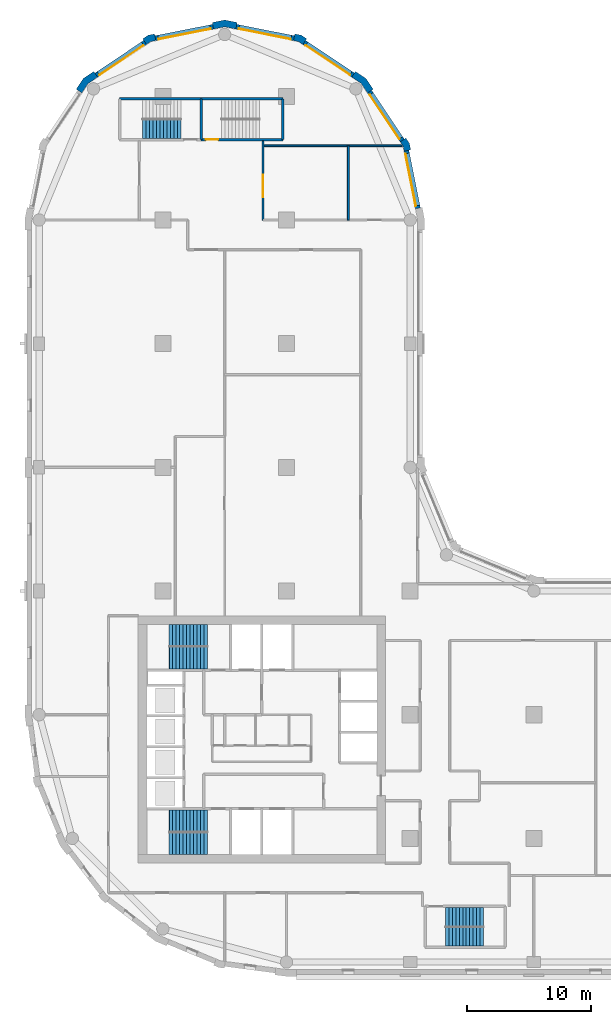
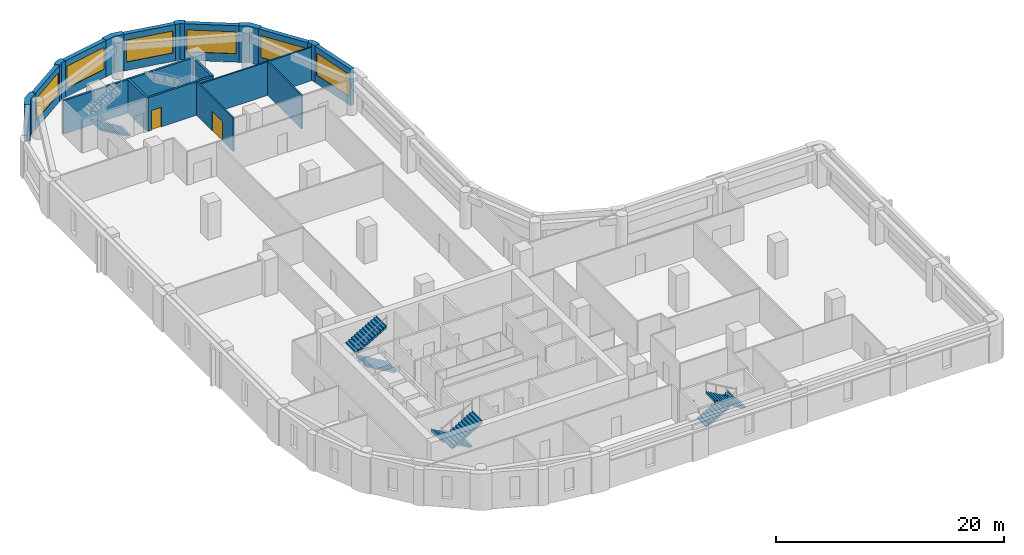
# One storey, part 6 of 9: 20 walls, 7 stair flights, 6 windows, 2 doors, 8 openings, 4 elements without a shape of their own.
"""IFC4 building model written with IfcOpenShell, lengths in metres."""

from ifc_helpers import new_model, si_unit, direction, frame, frame_2d, origin, place, context, subcontext, project, spatial, polyline, rectangle, outline, extrude, material, layer, layer_set, type_object, element, fill, aggregate, save


model = new_model("IFC4")

# Units and contexts
model_context = context("Model", 3, precision=1e-05, world=origin(), true_north=direction((0.0, 1.0)))
body_context = subcontext(model_context, "Body", "Model", "MODEL_VIEW")
ifc_project = project(units=[si_unit("LENGTHUNIT", "METRE"), si_unit("AREAUNIT", "SQUARE_METRE"), si_unit("VOLUMEUNIT", "CUBIC_METRE"), si_unit("PLANEANGLEUNIT", "RADIAN"), si_unit("MASSUNIT", "GRAM", prefix="KILO")], contexts=[model_context])

# Site, building, storey
site_placement = place(None, origin())
site = spatial("IfcSite", under=ifc_project, at=site_placement, CompositionType="ELEMENT")
building_placement = place(site_placement, origin())
building = spatial("IfcBuilding", under=site, at=building_placement, Name="Qaws Garden Tower", CompositionType="ELEMENT")
storey_placement = place(building_placement, frame((0.0, 0.0, 131.699951171875)))
storey = spatial("IfcBuildingStorey", under=building, at=storey_placement, Name="L31", CompositionType="ELEMENT", Elevation=131.699951171875)

# Wall, opening, window
ifc_material_1 = material(Name="Clay facing brick masonry", Category="masonry")
ifc_layer_1 = layer(ifc_material_1, 0.39990234375)
ifc_layer_set_1 = layer_set([ifc_layer_1], Name="Clay facing brick masonry")
wall_type_1 = type_object("IfcWallType", Name="Brick infill wall 400", PredefinedType="SOLIDWALL", material=ifc_layer_set_1)
wall_1_placement = place(storey_placement, frame((30.628662109375, 60.940673828125, 0.0), z_axis=(0.0, 0.0, 1.0), x_axis=(-0.195098533057, 0.98078364709, 0.0)))
wall_1 = element("IfcWall", 1, at=wall_1_placement, inside=storey, type_object=wall_type_1, Name="E-L31-infill-13", PredefinedType="SOLIDWALL", context=body_context, shape_type="SweptSolid", body=[
    extrude(rectangle(XDim=4.752685546875, YDim=0.39990234375, at=frame_2d((2.37646484375, 0.0))), origin(), (0.0, 0.0, 1.0), 3.900146484375),
])
opening_1_placement = place(wall_1_placement, frame((0.226318359375, 0.0, 0.89990234375)))
opening_1 = element("IfcOpeningElement", 2, at=opening_1_placement, cuts=wall_1, Name="Opening W06", PredefinedType="OPENING", context=body_context, shape_type="SweptSolid", body=[
    extrude(rectangle(XDim=4.300048828125, YDim=2.35009765625, at=frame_2d((2.14990234375, 1.175048828125))), frame((0.0, 0.2099609375, 0.0), z_axis=(0.0, -1.0, 0.0), x_axis=(1.0, 0.0, 0.0)), (0.0, 0.0, 1.0), 0.419921875),
])
ifc_material_2 = material(Name="Aluminium framed window, clear glazing", Category="aluminium")
window_type = type_object("IfcWindowType", Name="Ribbon window 4300 x 2350", PartitioningType="DOUBLE_PANEL_VERTICAL", PredefinedType="WINDOW", material=ifc_material_2)
window_1_placement = place(opening_1_placement, origin())
window_1 = element("IfcWindow", 3, at=window_1_placement, inside=storey, type_object=window_type, Name="E-L31-window-13-0", OverallHeight=2.35009765625, OverallWidth=4.300048828125, PartitioningType="SINGLE_PANEL", PredefinedType="WINDOW", context=body_context, shape_type="SweptSolid", body=[
    extrude(rectangle(XDim=4.300048828125, YDim=2.35009765625, at=frame_2d((2.14990234375, 1.175048828125))), frame((0.0, 0.159912109375, 0.0), z_axis=(0.0, -1.0, 0.0), x_axis=(1.0, 0.0, 0.0)), (0.0, 0.0, 1.0), 0.06005859375),
])
fill(opening_1, window_1)

wall_2_placement = place(storey_placement, frame((29.356689453125, 66.43408203125, 0.0), z_axis=(0.0, 0.0, 1.0), x_axis=(-0.555541552266, 0.831488775454, 0.0)))
wall_2 = element("IfcWall", 4, at=wall_2_placement, inside=storey, type_object=wall_type_1, Name="E-L31-infill-14", PredefinedType="SOLIDWALL", context=body_context, shape_type="SweptSolid", body=[
    extrude(rectangle(XDim=4.752685546875, YDim=0.39990234375, at=frame_2d((2.37646484375, 0.0))), origin(), (0.0, 0.0, 1.0), 3.900146484375),
])
opening_2_placement = place(wall_2_placement, frame((0.226318359375, 0.0, 0.89990234375)))
opening_2 = element("IfcOpeningElement", 5, at=opening_2_placement, cuts=wall_2, Name="Opening W06", PredefinedType="OPENING", context=body_context, shape_type="SweptSolid", body=[
    extrude(rectangle(XDim=4.300048828125, YDim=2.35009765625, at=frame_2d((2.14990234375, 1.175048828125))), frame((0.0, 0.2099609375, 0.0), z_axis=(0.0, -1.0, 0.0), x_axis=(1.0, 0.0, 0.0)), (0.0, 0.0, 1.0), 0.419921875),
])
window_2_placement = place(opening_2_placement, origin())
window_2 = element("IfcWindow", 6, at=window_2_placement, inside=storey, type_object=window_type, Name="E-L31-window-14-0", OverallHeight=2.35009765625, OverallWidth=4.300048828125, PartitioningType="SINGLE_PANEL", PredefinedType="WINDOW", context=body_context, shape_type="SweptSolid", body=[
    extrude(rectangle(XDim=4.300048828125, YDim=2.35009765625, at=frame_2d((2.14990234375, 1.175048828125))), frame((0.0, 0.159912109375, 0.0), z_axis=(0.0, -1.0, 0.0), x_axis=(1.0, 0.0, 0.0)), (0.0, 0.0, 1.0), 0.06005859375),
])
fill(opening_2, window_2)

wall_3_placement = place(storey_placement, frame((25.385986328125, 71.71630859375, 0.0), z_axis=(0.0, 0.0, 1.0), x_axis=(-0.831488775454, 0.555541552266, 0.0)))
wall_3 = element("IfcWall", 7, at=wall_3_placement, inside=storey, type_object=wall_type_1, Name="E-L31-infill-15", PredefinedType="SOLIDWALL", context=body_context, shape_type="SweptSolid", body=[
    extrude(rectangle(XDim=4.752685546875, YDim=0.39990234375, at=frame_2d((2.37646484375, 0.0))), origin(), (0.0, 0.0, 1.0), 3.900146484375),
])
opening_3_placement = place(wall_3_placement, frame((0.226318359375, 0.0, 0.89990234375)))
opening_3 = element("IfcOpeningElement", 8, at=opening_3_placement, cuts=wall_3, Name="Opening W06", PredefinedType="OPENING", context=body_context, shape_type="SweptSolid", body=[
    extrude(rectangle(XDim=4.300048828125, YDim=2.35009765625, at=frame_2d((2.14990234375, 1.175048828125))), frame((0.0, 0.2099609375, 0.0), z_axis=(0.0, -1.0, 0.0), x_axis=(1.0, 0.0, 0.0)), (0.0, 0.0, 1.0), 0.419921875),
])
window_3_placement = place(opening_3_placement, origin())
window_3 = element("IfcWindow", 9, at=window_3_placement, inside=storey, type_object=window_type, Name="E-L31-window-15-0", OverallHeight=2.35009765625, OverallWidth=4.300048828125, PartitioningType="SINGLE_PANEL", PredefinedType="WINDOW", context=body_context, shape_type="SweptSolid", body=[
    extrude(rectangle(XDim=4.300048828125, YDim=2.35009765625, at=frame_2d((2.14990234375, 1.175048828125))), frame((0.0, 0.159912109375, 0.0), z_axis=(0.0, -1.0, 0.0), x_axis=(1.0, 0.0, 0.0)), (0.0, 0.0, 1.0), 0.06005859375),
])
fill(opening_3, window_3)

wall_4_placement = place(storey_placement, frame((20.60205078125, 74.701416015625, 0.0), z_axis=(0.0, 0.0, 1.0), x_axis=(-0.98078364709, 0.195098533057, 0.0)))
wall_4 = element("IfcWall", 10, at=wall_4_placement, inside=storey, type_object=wall_type_1, Name="E-L31-infill-16", PredefinedType="SOLIDWALL", context=body_context, shape_type="SweptSolid", body=[
    extrude(rectangle(XDim=4.752685546875, YDim=0.39990234375, at=frame_2d((2.37646484375, 0.0))), origin(), (0.0, 0.0, 1.0), 3.900146484375),
])
opening_4_placement = place(wall_4_placement, frame((0.226318359375, 0.0, 0.89990234375)))
opening_4 = element("IfcOpeningElement", 11, at=opening_4_placement, cuts=wall_4, Name="Opening W06", PredefinedType="OPENING", context=body_context, shape_type="SweptSolid", body=[
    extrude(rectangle(XDim=4.300048828125, YDim=2.35009765625, at=frame_2d((2.14990234375, 1.175048828125))), frame((0.0, 0.2099609375, 0.0), z_axis=(0.0, -1.0, 0.0), x_axis=(1.0, 0.0, 0.0)), (0.0, 0.0, 1.0), 0.419921875),
])
window_4_placement = place(opening_4_placement, origin())
window_4 = element("IfcWindow", 12, at=window_4_placement, inside=storey, type_object=window_type, Name="E-L31-window-16-0", OverallHeight=2.35009765625, OverallWidth=4.300048828125, PartitioningType="SINGLE_PANEL", PredefinedType="WINDOW", context=body_context, shape_type="SweptSolid", body=[
    extrude(rectangle(XDim=4.300048828125, YDim=2.35009765625, at=frame_2d((2.14990234375, 1.175048828125))), frame((0.0, 0.159912109375, 0.0), z_axis=(0.0, -1.0, 0.0), x_axis=(1.0, 0.0, 0.0)), (0.0, 0.0, 1.0), 0.06005859375),
])
fill(opening_4, window_4)

wall_5_placement = place(storey_placement, frame((14.059326171875, 75.628662109375, 0.0), z_axis=(0.0, 0.0, 1.0), x_axis=(-0.98078364709, -0.195098533057, 0.0)))
wall_5 = element("IfcWall", 13, at=wall_5_placement, inside=storey, type_object=wall_type_1, Name="E-L31-infill-17", PredefinedType="SOLIDWALL", context=body_context, shape_type="SweptSolid", body=[
    extrude(rectangle(XDim=4.752685546875, YDim=0.39990234375, at=frame_2d((2.37646484375, 0.0))), origin(), (0.0, 0.0, 1.0), 3.900146484375),
])
opening_5_placement = place(wall_5_placement, frame((0.226318359375, 0.0, 0.89990234375)))
opening_5 = element("IfcOpeningElement", 14, at=opening_5_placement, cuts=wall_5, Name="Opening W06", PredefinedType="OPENING", context=body_context, shape_type="SweptSolid", body=[
    extrude(rectangle(XDim=4.300048828125, YDim=2.35009765625, at=frame_2d((2.14990234375, 1.175048828125))), frame((0.0, 0.2099609375, 0.0), z_axis=(0.0, -1.0, 0.0), x_axis=(1.0, 0.0, 0.0)), (0.0, 0.0, 1.0), 0.419921875),
])
window_5_placement = place(opening_5_placement, origin())
window_5 = element("IfcWindow", 15, at=window_5_placement, inside=storey, type_object=window_type, Name="E-L31-window-17-0", OverallHeight=2.35009765625, OverallWidth=4.300048828125, PartitioningType="SINGLE_PANEL", PredefinedType="WINDOW", context=body_context, shape_type="SweptSolid", body=[
    extrude(rectangle(XDim=4.300048828125, YDim=2.35009765625, at=frame_2d((2.14990234375, 1.175048828125))), frame((0.0, 0.159912109375, 0.0), z_axis=(0.0, -1.0, 0.0), x_axis=(1.0, 0.0, 0.0)), (0.0, 0.0, 1.0), 0.06005859375),
])
fill(opening_5, window_5)

wall_6_placement = place(storey_placement, frame((8.56591796875, 74.356689453125, 0.0), z_axis=(0.0, 0.0, 1.0), x_axis=(-0.831488775454, -0.555541552266, 0.0)))
wall_6 = element("IfcWall", 16, at=wall_6_placement, inside=storey, type_object=wall_type_1, Name="E-L31-infill-18", PredefinedType="SOLIDWALL", context=body_context, shape_type="SweptSolid", body=[
    extrude(rectangle(XDim=4.752685546875, YDim=0.39990234375, at=frame_2d((2.37646484375, 0.0))), origin(), (0.0, 0.0, 1.0), 3.900146484375),
])
opening_6_placement = place(wall_6_placement, frame((0.226318359375, 0.0, 0.89990234375)))
opening_6 = element("IfcOpeningElement", 17, at=opening_6_placement, cuts=wall_6, Name="Opening W06", PredefinedType="OPENING", context=body_context, shape_type="SweptSolid", body=[
    extrude(rectangle(XDim=4.300048828125, YDim=2.35009765625, at=frame_2d((2.14990234375, 1.175048828125))), frame((0.0, 0.2099609375, 0.0), z_axis=(0.0, -1.0, 0.0), x_axis=(1.0, 0.0, 0.0)), (0.0, 0.0, 1.0), 0.419921875),
])
window_6_placement = place(opening_6_placement, origin())
window_6 = element("IfcWindow", 18, at=window_6_placement, inside=storey, type_object=window_type, Name="E-L31-window-18-0", OverallHeight=2.35009765625, OverallWidth=4.300048828125, PartitioningType="SINGLE_PANEL", PredefinedType="WINDOW", context=body_context, shape_type="SweptSolid", body=[
    extrude(rectangle(XDim=4.300048828125, YDim=2.35009765625, at=frame_2d((2.14990234375, 1.175048828125))), frame((0.0, 0.159912109375, 0.0), z_axis=(0.0, -1.0, 0.0), x_axis=(1.0, 0.0, 0.0)), (0.0, 0.0, 1.0), 0.06005859375),
])
fill(opening_6, window_6)

# Walls
ifc_material_3 = material(Name="Clay facing brick masonry", Category="masonry")
ifc_layer_2 = layer(ifc_material_3, 0.550048828125)
ifc_layer_set_2 = layer_set([ifc_layer_2], Name="Clay facing brick masonry")
wall_type_2 = type_object("IfcWallType", Name="Brick kink pier 550 x 600", PredefinedType="SOLIDWALL", material=ifc_layer_set_2)
placement = place(storey_placement, origin())
element("IfcWall", 19, at=placement, inside=storey, type_object=wall_type_2, Name="E-L31-pier-14", PredefinedType="SOLIDWALL", context=body_context, shape_type="SweptSolid", body=[
    extrude(outline(polyline([(29.8974609375, 65.64111328125), (30.044677734375, 65.67041015625), (29.94140625, 66.18896484375), (29.647705078125, 66.628662109375), (29.52294921875, 66.545166015625), (29.1904296875, 66.322998046875), (29.42333984375, 65.974365234375), (29.505126953125, 65.56298828125), (29.8974609375, 65.64111328125)])), origin(), (0.0, 0.0, 1.0), 3.900146484375),
])
element("IfcWall", 20, at=placement, inside=storey, type_object=wall_type_2, Name="E-L31-pier-16", PredefinedType="SOLIDWALL", context=body_context, shape_type="SweptSolid", body=[
    extrude(outline(polyline([(21.545166015625, 74.52294921875), (21.628662109375, 74.647705078125), (21.18896484375, 74.94140625), (20.67041015625, 75.044677734375), (20.64111328125, 74.8974609375), (20.56298828125, 74.505126953125), (20.974365234375, 74.42333984375), (21.322998046875, 74.1904296875), (21.545166015625, 74.52294921875)])), origin(), (0.0, 0.0, 1.0), 3.900146484375),
])
element("IfcWall", 21, at=placement, inside=storey, type_object=wall_type_2, Name="E-L31-pier-18", PredefinedType="SOLIDWALL", context=body_context, shape_type="SweptSolid", body=[
    extrude(outline(polyline([(9.35888671875, 74.8974609375), (9.32958984375, 75.044677734375), (8.81103515625, 74.94140625), (8.371337890625, 74.647705078125), (8.454833984375, 74.52294921875), (8.677001953125, 74.1904296875), (9.025634765625, 74.42333984375), (9.43701171875, 74.505126953125), (9.35888671875, 74.8974609375)])), origin(), (0.0, 0.0, 1.0), 3.900146484375),
])
ifc_material_4 = material(Name="Clay facing brick masonry", Category="masonry")
ifc_layer_3 = layer(ifc_material_4, 0.550048828125)
ifc_layer_set_3 = layer_set([ifc_layer_3], Name="Clay facing brick masonry")
wall_type_3 = type_object("IfcWallType", Name="Brick pier 550 x 1600", PredefinedType="SOLIDWALL", material=ifc_layer_set_3)
element("IfcWall", 22, at=placement, inside=storey, type_object=wall_type_3, Name="E-L31-pier-15", PredefinedType="SOLIDWALL", context=body_context, shape_type="SweptSolid", body=[
    extrude(outline(polyline([(26.882568359375, 70.4970703125), (27.00732421875, 70.580322265625), (26.435791015625, 71.435791015625), (25.580322265625, 72.00732421875), (25.4970703125, 71.882568359375), (25.274658203125, 71.550048828125), (26.0390625, 71.0390625), (26.550048828125, 70.274658203125), (26.882568359375, 70.4970703125)])), origin(), (0.0, 0.0, 1.0), 3.900146484375),
])
element("IfcWall", 23, at=placement, inside=storey, type_object=wall_type_3, Name="E-L31-pier-17", PredefinedType="SOLIDWALL", context=body_context, shape_type="SweptSolid", body=[
    extrude(outline(polyline([(15.979736328125, 75.82470703125), (16.009033203125, 75.971923828125), (15.0, 76.172607421875), (13.990966796875, 75.971923828125), (14.020263671875, 75.82470703125), (14.098388671875, 75.432373046875), (15.0, 75.61181640625), (15.901611328125, 75.432373046875), (15.979736328125, 75.82470703125)])), origin(), (0.0, 0.0, 1.0), 3.900146484375),
])
element("IfcWall", 24, at=placement, inside=storey, type_object=wall_type_3, Name="E-L31-pier-19", PredefinedType="SOLIDWALL", context=body_context, shape_type="SweptSolid", body=[
    extrude(outline(polyline([(4.5029296875, 71.882568359375), (4.419677734375, 72.00732421875), (3.564208984375, 71.435791015625), (2.99267578125, 70.580322265625), (3.117431640625, 70.4970703125), (3.449951171875, 70.274658203125), (3.9609375, 71.0390625), (4.725341796875, 71.550048828125), (4.5029296875, 71.882568359375)])), origin(), (0.0, 0.0, 1.0), 3.900146484375),
])

# Wall, opening, door
ifc_material_5 = material(Name="Concrete C70", Category="concrete")
ifc_layer_4 = layer(ifc_material_5, 0.199951171875)
ifc_layer_set_4 = layer_set([ifc_layer_4], Name="Concrete C70")
wall_type_4 = type_object("IfcWallType", Name="Core shaft wall 200 C70", PredefinedType="SHEAR", material=ifc_layer_set_4)
wall_13_placement = place(storey_placement, frame((13.10009765625, 66.5, 0.0), z_axis=(0.0, 0.0, 1.0), x_axis=(1.0, 0.0, 0.0)))
wall_13 = element("IfcWall", 25, at=wall_13_placement, inside=storey, type_object=wall_type_4, Name="Shaft wall", PredefinedType="SHEAR", context=body_context, shape_type="SweptSolid", body=[
    extrude(rectangle(XDim=6.599853515625, YDim=0.199951171875, at=frame_2d((3.2998046875, 0.0))), origin(), (0.0, 0.0, 1.0), 3.580078125),
])
opening_7_placement = place(wall_13_placement, frame((0.375, 0.0, 0.0)))
opening_7 = element("IfcOpeningElement", 26, at=opening_7_placement, cuts=wall_13, Name="Opening SD14", PredefinedType="OPENING", context=body_context, shape_type="SweptSolid", body=[
    extrude(rectangle(XDim=1.0, YDim=2.10009765625, at=frame_2d((0.5, 1.050048828125))), frame((0.0, 0.10986328125, 0.0), z_axis=(0.0, -1.0, 0.0), x_axis=(1.0, 0.0, 0.0)), (0.0, 0.0, 1.0), 0.219970703125),
])
ifc_material_6 = material(Name="Steel S235", Category="steel")
door_type_1 = type_object("IfcDoorType", Name="Stair door 1000x2100", OperationType="SINGLE_SWING_RIGHT", PredefinedType="DOOR", material=ifc_material_6)
door_1_placement = place(opening_7_placement, origin())
door_1 = element("IfcDoor", 27, at=door_1_placement, inside=storey, type_object=door_type_1, Name="Stair 7 door", OperationType="SINGLE_SWING_LEFT", OverallHeight=2.10009765625, OverallWidth=1.0, PredefinedType="DOOR", context=body_context, shape_type="SweptSolid", body=[
    extrude(rectangle(XDim=1.0, YDim=2.10009765625, at=frame_2d((0.5, 1.050048828125))), frame((0.0, 0.02490234375, 0.0), z_axis=(0.0, -1.0, 0.0), x_axis=(1.0, 0.0, 0.0)), (0.0, 0.0, 1.0), 0.050048828125),
])
fill(opening_7, door_1)

# Walls
wall_14_placement = place(storey_placement, frame((6.5, 69.800048828125, 0.0), z_axis=(0.0, 0.0, 1.0), x_axis=(1.0, 0.0, 0.0)))
element("IfcWall", 28, at=wall_14_placement, inside=storey, type_object=wall_type_4, Name="Shaft wall", PredefinedType="SHEAR", context=body_context, shape_type="SweptSolid", body=[
    extrude(rectangle(XDim=6.60009765625, YDim=0.199951171875, at=frame_2d((3.300048828125, 0.0))), origin(), (0.0, 0.0, 1.0), 3.580078125),
])
wall_15_placement = place(storey_placement, frame((13.10009765625, 69.800048828125, 0.0), z_axis=(0.0, 0.0, 1.0), x_axis=(1.0, 0.0, 0.0)))
element("IfcWall", 29, at=wall_15_placement, inside=storey, type_object=wall_type_4, Name="Shaft wall", PredefinedType="SHEAR", context=body_context, shape_type="SweptSolid", body=[
    extrude(rectangle(XDim=6.599853515625, YDim=0.199951171875, at=frame_2d((3.2998046875, 0.0))), origin(), (0.0, 0.0, 1.0), 3.580078125),
])
for number, where, z_axis, x_axis, name in (
    (30, (13.10009765625, 66.5, 0.0), (0.0, 0.0, 1.0), (0.0, 1.0, 0.0), "Shaft wall"),
    (31, (19.699951171875, 66.5, 0.0), (0.0, 0.0, 1.0), (0.0, 1.0, 0.0), "Shaft wall"),
):
    element("IfcWall", number, at=place(storey_placement, frame(where, z_axis=z_axis, x_axis=x_axis)), inside=storey, type_object=wall_type_4, Name=name, PredefinedType="SHEAR", context=body_context, shape_type="SweptSolid", body=[
        extrude(rectangle(XDim=3.300048828125, YDim=0.199951171875, at=frame_2d((1.64990234375, 0.0))), origin(), (0.0, 0.0, 1.0), 3.580078125),
    ])

# Wall, opening, door
ifc_material_7 = material(Name="Gypsum board partition")
ifc_layer_5 = layer(ifc_material_7, 0.14990234375)
ifc_layer_set_5 = layer_set([ifc_layer_5], Name="Gypsum board partition")
wall_type_5 = type_object("IfcWallType", Name="PARTITION 150 EI 60", PredefinedType="PARTITIONING", material=ifc_layer_set_5)
wall_16_placement = place(storey_placement, frame((18.10009765625, 60.0, 0.0), z_axis=(0.0, 0.0, 1.0), x_axis=(0.0, 1.0, 0.0)))
wall_16 = element("IfcWall", 32, at=wall_16_placement, inside=storey, type_object=wall_type_5, Name="O-L31-wall-010", PredefinedType="PARTITIONING", context=body_context, shape_type="SweptSolid", body=[
    extrude(rectangle(XDim=6.39990234375, YDim=0.14990234375, at=frame_2d((3.199951171875, 0.0))), origin(), (0.0, 0.0, 1.0), 3.580078125),
])
opening_8_placement = place(wall_16_placement, frame((1.85009765625, 0.0, 0.0)))
opening_8 = element("IfcOpeningElement", 33, at=opening_8_placement, cuts=wall_16, Name="Opening B108", PredefinedType="OPENING", context=body_context, shape_type="SweptSolid", body=[
    extrude(rectangle(XDim=1.800048828125, YDim=2.10009765625, at=frame_2d((0.89990234375, 1.050048828125))), frame((0.0, 0.0849609375, 0.0), z_axis=(0.0, -1.0, 0.0), x_axis=(1.0, 0.0, 0.0)), (0.0, 0.0, 1.0), 0.169921875),
])
ifc_material_8 = material(Name="Timber door leaf", Category="wood")
door_type_2 = type_object("IfcDoorType", Name="DOUBLE DOOR 1800 X 2100", OperationType="DOUBLE_DOOR_SINGLE_SWING", PredefinedType="DOOR", material=ifc_material_8)
door_2_placement = place(opening_8_placement, frame((1.800048828125, 0.0, 0.0), z_axis=(0.0, 0.0, 1.0), x_axis=(-1.0, 0.0, 0.0)))
door_2 = element("IfcDoor", 34, at=door_2_placement, inside=storey, type_object=door_type_2, Name="O-L31-door-008", OperationType="DOUBLE_DOOR_SINGLE_SWING", OverallHeight=2.10009765625, OverallWidth=1.800048828125, PredefinedType="DOOR", context=body_context, shape_type="SweptSolid", body=[
    extrude(rectangle(XDim=1.800048828125, YDim=2.10009765625, at=frame_2d((0.89990234375, 1.050048828125))), frame((0.0, 0.02490234375, 0.0), z_axis=(0.0, -1.0, 0.0), x_axis=(1.0, 0.0, 0.0)), (0.0, 0.0, 1.0), 0.050048828125),
])
fill(opening_8, door_2)

# Walls
wall_17_placement = place(storey_placement, frame((25.0, 60.0, 0.0), z_axis=(0.0, 0.0, 1.0), x_axis=(0.0, 1.0, 0.0)))
element("IfcWall", 35, at=wall_17_placement, inside=storey, type_object=wall_type_5, Name="O-L31-wall-012", PredefinedType="PARTITIONING", context=body_context, shape_type="SweptSolid", body=[
    extrude(rectangle(XDim=6.0, YDim=0.14990234375, at=frame_2d((3.0, 0.0))), origin(), (0.0, 0.0, 1.0), 3.580078125),
])
wall_18_placement = place(storey_placement, frame((18.10009765625, 66.0, 0.0), z_axis=(0.0, 0.0, 1.0), x_axis=(1.0, 0.0, 0.0)))
element("IfcWall", 36, at=wall_18_placement, inside=storey, type_object=wall_type_5, Name="O-L31-wall-049", PredefinedType="PARTITIONING", context=body_context, shape_type="SweptSolid", body=[
    extrude(rectangle(XDim=11.256103515625, YDim=0.14990234375, at=frame_2d((5.6279296875, 0.0))), origin(), (0.0, 0.0, 1.0), 3.580078125),
])

# Stair, stair flights
ifc_material_9 = material(Name="Concrete C40", Category="concrete")
stair_type_1 = type_object("IfcStairType", Name="Exit stair 1350", PredefinedType="HALF_TURN_STAIR", material=ifc_material_9)
stair_1 = element("IfcStair", 37, at=placement, inside=storey, type_object=stair_type_1, Name="Stair 5", PredefinedType="HALF_TURN_STAIR")
ifc_material_10 = material(Name="Concrete C40", Category="concrete")
stair_flight_type_1 = type_object("IfcStairFlightType", Name="Stair flight 1350", PredefinedType="STRAIGHT", material=ifc_material_10)
stair_flight_1_placement = place(storey_placement, frame((32.85009765625, 3.625, 0.0), z_axis=(0.0, 0.0, 1.0), x_axis=(1.0, 0.0, 0.0)))
stair_flight_1 = element("IfcStairFlight", 38, at=stair_flight_1_placement, type_object=stair_flight_type_1, Name="ST5 flight 1", NumberOfRisers=12, NumberOfTreads=11, PredefinedType="STRAIGHT", RiserHeight=0.1625, TreadLength=0.28, context=body_context, shape_type="SweptSolid", body=[
    extrude(outline(polyline([(-0.0029296875, 0.0), (-0.0029296875, 0.16259765625), (0.0, 0.16259765625), (0.280029296875, 0.16259765625), (0.280029296875, 0.324951171875), (0.56005859375, 0.324951171875), (0.56005859375, 0.487548828125), (0.840087890625, 0.487548828125), (0.840087890625, 0.64990234375), (1.1201171875, 0.64990234375), (1.1201171875, 0.8125), (1.39990234375, 0.8125), (1.39990234375, 0.97509765625), (1.679931640625, 0.97509765625), (1.679931640625, 1.137451171875), (1.9599609375, 1.137451171875), (1.9599609375, 1.300048828125), (2.239990234375, 1.300048828125), (2.239990234375, 1.46240234375), (2.52001953125, 1.46240234375), (2.52001953125, 1.625), (2.800048828125, 1.625), (2.800048828125, 1.78759765625), (3.080078125, 1.78759765625), (3.080078125, 1.949951171875), (3.0830078125, 1.949951171875), (3.0830078125, 1.6142578125), (3.080078125, 1.6142578125), (0.298583984375, 0.0), (-0.0029296875, 0.0)])), frame((0.0, 0.77490234375, 0.0), z_axis=(0.0, -1.0, 0.0), x_axis=(1.0, 0.0, 0.0)), (0.0, 0.0, 1.0), 1.550048828125),
])
stair_flight_2_placement = place(storey_placement, frame((35.929931640625, 2.074951171875, 1.949951171875), z_axis=(0.0, 0.0, 1.0), x_axis=(-1.0, 0.0, 0.0)))
stair_flight_2 = element("IfcStairFlight", 39, at=stair_flight_2_placement, type_object=stair_flight_type_1, Name="ST5 flight 2", NumberOfRisers=12, NumberOfTreads=11, PredefinedType="STRAIGHT", RiserHeight=0.1625, TreadLength=0.28, context=body_context, shape_type="SweptSolid", body=[
    extrude(outline(polyline([(-0.0029296875, 0.0), (-0.0029296875, 0.16259765625), (0.0, 0.16259765625), (0.280029296875, 0.16259765625), (0.280029296875, 0.324951171875), (0.56005859375, 0.324951171875), (0.56005859375, 0.487548828125), (0.840087890625, 0.487548828125), (0.840087890625, 0.64990234375), (1.1201171875, 0.64990234375), (1.1201171875, 0.8125), (1.39990234375, 0.8125), (1.39990234375, 0.97509765625), (1.679931640625, 0.97509765625), (1.679931640625, 1.137451171875), (1.9599609375, 1.137451171875), (1.9599609375, 1.300048828125), (2.239990234375, 1.300048828125), (2.239990234375, 1.46240234375), (2.52001953125, 1.46240234375), (2.52001953125, 1.625), (2.800048828125, 1.625), (2.800048828125, 1.78759765625), (3.080078125, 1.78759765625), (3.080078125, 1.949951171875), (3.0830078125, 1.949951171875), (3.0830078125, 1.6142578125), (3.080078125, 1.6142578125), (0.298583984375, 0.0), (-0.0029296875, 0.0)])), frame((0.0, 0.77490234375, 0.0), z_axis=(0.0, -1.0, 0.0), x_axis=(1.0, 0.0, 0.0)), (0.0, 0.0, 1.0), 1.550048828125),
])
aggregate(stair_1, [stair_flight_1, stair_flight_2])

# Stair, stair flight
stair_2 = element("IfcStair", 40, at=placement, inside=storey, type_object=stair_type_1, Name="Stair 6", PredefinedType="HALF_TURN_STAIR")
stair_flight_3_placement = place(storey_placement, frame((11.449951171875, 67.375, 0.0), z_axis=(0.0, 0.0, 1.0), x_axis=(-1.0, 0.0, 0.0)))
stair_flight_3 = element("IfcStairFlight", 41, at=stair_flight_3_placement, type_object=stair_flight_type_1, Name="ST6 flight 1", NumberOfRisers=12, NumberOfTreads=11, PredefinedType="STRAIGHT", RiserHeight=0.1625, TreadLength=0.28, context=body_context, shape_type="SweptSolid", body=[
    extrude(outline(polyline([(-0.0029296875, 0.0), (-0.0029296875, 0.16259765625), (0.0, 0.16259765625), (0.280029296875, 0.16259765625), (0.280029296875, 0.324951171875), (0.56005859375, 0.324951171875), (0.56005859375, 0.487548828125), (0.840087890625, 0.487548828125), (0.840087890625, 0.64990234375), (1.1201171875, 0.64990234375), (1.1201171875, 0.8125), (1.39990234375, 0.8125), (1.39990234375, 0.97509765625), (1.679931640625, 0.97509765625), (1.679931640625, 1.137451171875), (1.9599609375, 1.137451171875), (1.9599609375, 1.300048828125), (2.239990234375, 1.300048828125), (2.239990234375, 1.46240234375), (2.52001953125, 1.46240234375), (2.52001953125, 1.625), (2.800048828125, 1.625), (2.800048828125, 1.78759765625), (3.080078125, 1.78759765625), (3.080078125, 1.949951171875), (3.0830078125, 1.949951171875), (3.0830078125, 1.6142578125), (3.080078125, 1.6142578125), (0.298583984375, 0.0), (-0.0029296875, 0.0)])), frame((0.0, 0.77490234375, 0.0), z_axis=(0.0, -1.0, 0.0), x_axis=(1.0, 0.0, 0.0)), (0.0, 0.0, 1.0), 1.550048828125),
])
aggregate(stair_2, [stair_flight_3])

# Stair, stair flights
ifc_material_11 = material(Name="Concrete C40", Category="concrete")
stair_type_2 = type_object("IfcStairType", Name="Exit stair 1500", PredefinedType="HALF_TURN_STAIR", material=ifc_material_11)
stair_3 = element("IfcStair", 42, at=placement, inside=storey, type_object=stair_type_2, Name="Stair 1", PredefinedType="HALF_TURN_STAIR")
ifc_material_12 = material(Name="Concrete C40", Category="concrete")
stair_flight_type_2 = type_object("IfcStairFlightType", Name="Stair flight 1500", PredefinedType="STRAIGHT", material=ifc_material_12)
stair_flight_4_placement = place(storey_placement, frame((13.60009765625, 11.39990234375, 0.0), z_axis=(0.0, 0.0, 1.0), x_axis=(-1.0, 0.0, 0.0)))
stair_flight_4 = element("IfcStairFlight", 43, at=stair_flight_4_placement, type_object=stair_flight_type_2, Name="ST1 flight 1", NumberOfRisers=12, NumberOfTreads=11, PredefinedType="STRAIGHT", RiserHeight=0.1625, TreadLength=0.28, context=body_context, shape_type="SweptSolid", body=[
    extrude(outline(polyline([(-0.0029296875, 0.0), (-0.0029296875, 0.16259765625), (0.0, 0.16259765625), (0.280029296875, 0.16259765625), (0.280029296875, 0.324951171875), (0.56005859375, 0.324951171875), (0.56005859375, 0.487548828125), (0.840087890625, 0.487548828125), (0.840087890625, 0.64990234375), (1.1201171875, 0.64990234375), (1.1201171875, 0.8125), (1.39990234375, 0.8125), (1.39990234375, 0.97509765625), (1.679931640625, 0.97509765625), (1.679931640625, 1.137451171875), (1.9599609375, 1.137451171875), (1.9599609375, 1.300048828125), (2.239990234375, 1.300048828125), (2.239990234375, 1.46240234375), (2.52001953125, 1.46240234375), (2.52001953125, 1.625), (2.800048828125, 1.625), (2.800048828125, 1.78759765625), (3.080078125, 1.78759765625), (3.080078125, 1.949951171875), (3.0830078125, 1.949951171875), (3.0830078125, 1.6142578125), (3.080078125, 1.6142578125), (0.298583984375, 0.0), (-0.0029296875, 0.0)])), frame((0.0, 0.89990234375, 0.0), z_axis=(0.0, -1.0, 0.0), x_axis=(1.0, 0.0, 0.0)), (0.0, 0.0, 1.0), 1.800048828125),
])
stair_flight_5_placement = place(storey_placement, frame((10.52001953125, 9.60009765625, 1.949951171875), z_axis=(0.0, 0.0, 1.0), x_axis=(1.0, 0.0, 0.0)))
stair_flight_5 = element("IfcStairFlight", 44, at=stair_flight_5_placement, type_object=stair_flight_type_2, Name="ST1 flight 2", NumberOfRisers=12, NumberOfTreads=11, PredefinedType="STRAIGHT", RiserHeight=0.1625, TreadLength=0.28, context=body_context, shape_type="SweptSolid", body=[
    extrude(outline(polyline([(-0.0029296875, 0.0), (-0.0029296875, 0.16259765625), (0.0, 0.16259765625), (0.280029296875, 0.16259765625), (0.280029296875, 0.324951171875), (0.56005859375, 0.324951171875), (0.56005859375, 0.487548828125), (0.840087890625, 0.487548828125), (0.840087890625, 0.64990234375), (1.1201171875, 0.64990234375), (1.1201171875, 0.8125), (1.39990234375, 0.8125), (1.39990234375, 0.97509765625), (1.679931640625, 0.97509765625), (1.679931640625, 1.137451171875), (1.9599609375, 1.137451171875), (1.9599609375, 1.300048828125), (2.239990234375, 1.300048828125), (2.239990234375, 1.46240234375), (2.52001953125, 1.46240234375), (2.52001953125, 1.625), (2.800048828125, 1.625), (2.800048828125, 1.78759765625), (3.080078125, 1.78759765625), (3.080078125, 1.949951171875), (3.0830078125, 1.949951171875), (3.0830078125, 1.6142578125), (3.080078125, 1.6142578125), (0.298583984375, 0.0), (-0.0029296875, 0.0)])), frame((0.0, 0.89990234375, 0.0), z_axis=(0.0, -1.0, 0.0), x_axis=(1.0, 0.0, 0.0)), (0.0, 0.0, 1.0), 1.800048828125),
])
aggregate(stair_3, [stair_flight_4, stair_flight_5])

stair_4 = element("IfcStair", 45, at=placement, inside=storey, type_object=stair_type_2, Name="Stair 4", PredefinedType="HALF_TURN_STAIR")
stair_flight_6_placement = place(storey_placement, frame((13.60009765625, 24.60009765625, 0.0), z_axis=(0.0, 0.0, 1.0), x_axis=(-1.0, 0.0, 0.0)))
stair_flight_6 = element("IfcStairFlight", 46, at=stair_flight_6_placement, type_object=stair_flight_type_2, Name="ST4 flight 1", NumberOfRisers=12, NumberOfTreads=11, PredefinedType="STRAIGHT", RiserHeight=0.1625, TreadLength=0.28, context=body_context, shape_type="SweptSolid", body=[
    extrude(outline(polyline([(-0.0029296875, 0.0), (-0.0029296875, 0.16259765625), (0.0, 0.16259765625), (0.280029296875, 0.16259765625), (0.280029296875, 0.324951171875), (0.56005859375, 0.324951171875), (0.56005859375, 0.487548828125), (0.840087890625, 0.487548828125), (0.840087890625, 0.64990234375), (1.1201171875, 0.64990234375), (1.1201171875, 0.8125), (1.39990234375, 0.8125), (1.39990234375, 0.97509765625), (1.679931640625, 0.97509765625), (1.679931640625, 1.137451171875), (1.9599609375, 1.137451171875), (1.9599609375, 1.300048828125), (2.239990234375, 1.300048828125), (2.239990234375, 1.46240234375), (2.52001953125, 1.46240234375), (2.52001953125, 1.625), (2.800048828125, 1.625), (2.800048828125, 1.78759765625), (3.080078125, 1.78759765625), (3.080078125, 1.949951171875), (3.0830078125, 1.949951171875), (3.0830078125, 1.6142578125), (3.080078125, 1.6142578125), (0.298583984375, 0.0), (-0.0029296875, 0.0)])), frame((0.0, 0.89501953125, 0.0), z_axis=(0.0, -1.0, 0.0), x_axis=(1.0, 0.0, 0.0)), (0.0, 0.0, 1.0), 1.7900390625),
])
stair_flight_7_placement = place(storey_placement, frame((10.52001953125, 26.39990234375, 1.949951171875), z_axis=(0.0, 0.0, 1.0), x_axis=(1.0, 0.0, 0.0)))
stair_flight_7 = element("IfcStairFlight", 47, at=stair_flight_7_placement, type_object=stair_flight_type_2, Name="ST4 flight 2", NumberOfRisers=12, NumberOfTreads=11, PredefinedType="STRAIGHT", RiserHeight=0.1625, TreadLength=0.28, context=body_context, shape_type="SweptSolid", body=[
    extrude(outline(polyline([(-0.0029296875, 0.0), (-0.0029296875, 0.16259765625), (0.0, 0.16259765625), (0.280029296875, 0.16259765625), (0.280029296875, 0.324951171875), (0.56005859375, 0.324951171875), (0.56005859375, 0.487548828125), (0.840087890625, 0.487548828125), (0.840087890625, 0.64990234375), (1.1201171875, 0.64990234375), (1.1201171875, 0.8125), (1.39990234375, 0.8125), (1.39990234375, 0.97509765625), (1.679931640625, 0.97509765625), (1.679931640625, 1.137451171875), (1.9599609375, 1.137451171875), (1.9599609375, 1.300048828125), (2.239990234375, 1.300048828125), (2.239990234375, 1.46240234375), (2.52001953125, 1.46240234375), (2.52001953125, 1.625), (2.800048828125, 1.625), (2.800048828125, 1.78759765625), (3.080078125, 1.78759765625), (3.080078125, 1.949951171875), (3.0830078125, 1.949951171875), (3.0830078125, 1.6142578125), (3.080078125, 1.6142578125), (0.298583984375, 0.0), (-0.0029296875, 0.0)])), frame((0.0, 0.89501953125, 0.0), z_axis=(0.0, -1.0, 0.0), x_axis=(1.0, 0.0, 0.0)), (0.0, 0.0, 1.0), 1.7900390625),
])
aggregate(stair_4, [stair_flight_6, stair_flight_7])

save(model, "model.ifc")
